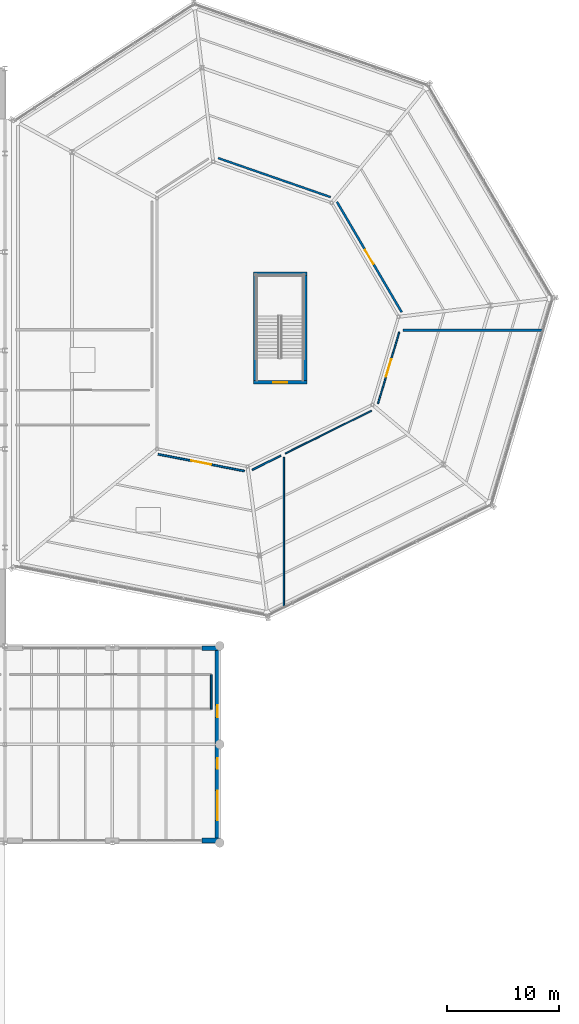
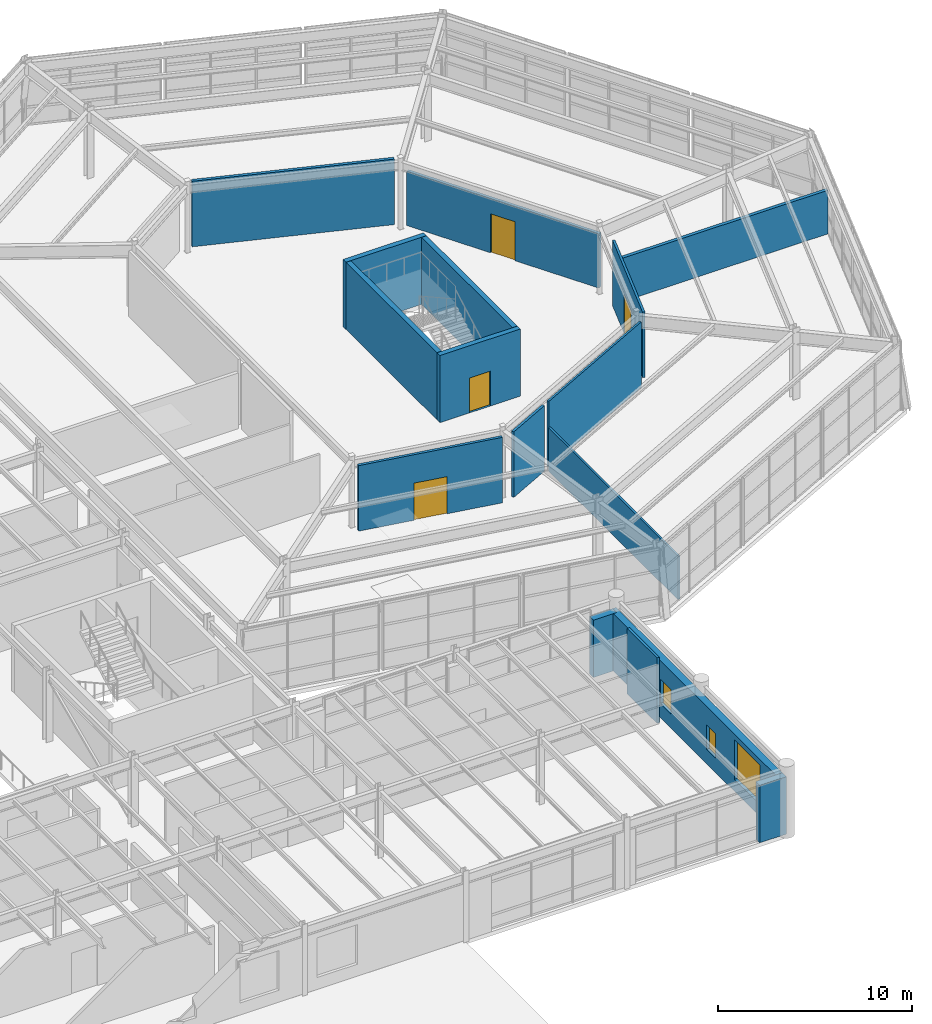
# One storey, part 76 of 88: 16 walls, 4 doors, 3 windows, 7 openings.
"""IFC4 building model written with IfcOpenShell, lengths in metres."""

from ifc_helpers import new_model, si_unit, direction, frame, frame_2d, origin, place, context, subcontext, project, spatial, rectangle, extrude, material, layer, layer_set, type_object, element, fill, save


model = new_model("IFC4")

# Units and contexts
model_context = context("Model", 3, precision=1e-05, world=origin(), true_north=direction((0.0, 1.0)))
body_context = subcontext(model_context, "Body", "Model", "MODEL_VIEW")
ifc_project = project(units=[si_unit("LENGTHUNIT", "METRE"), si_unit("AREAUNIT", "SQUARE_METRE"), si_unit("VOLUMEUNIT", "CUBIC_METRE"), si_unit("PLANEANGLEUNIT", "RADIAN"), si_unit("MASSUNIT", "GRAM", prefix="KILO")], contexts=[model_context])

# Site, building, storey
site_placement = place(None, origin())
site = spatial("IfcSite", under=ifc_project, at=site_placement, CompositionType="ELEMENT")
building_placement = place(site_placement, origin())
building = spatial("IfcBuilding", under=site, at=building_placement, Name="Sarnbrook Museum", CompositionType="ELEMENT")
storey_placement = place(building_placement, frame((0.0, 0.0, 10.10009765625)))
storey = spatial("IfcBuildingStorey", under=building, at=storey_placement, Name="L02", CompositionType="ELEMENT", Elevation=10.10009765625)

# Wall, opening, door
ifc_material_1 = material(Name="Concrete N50 (AS 3600, f'c = 50 MPa)", Category="concrete")
ifc_layer_1 = layer(ifc_material_1, 0.300048828125)
ifc_layer_set_1 = layer_set([ifc_layer_1], Name="Concrete N50 (AS 3600, f'c = 50 MPa)")
wall_type_1 = type_object("IfcWallType", Name="CoreWall_CWRC", PredefinedType="SHEAR", material=ifc_layer_set_1)
wall_1_placement = place(storey_placement, frame((141.39990234375, 80.35009765625, 0.0), z_axis=(0.0, 0.0, 1.0), x_axis=(1.0, 0.0, 0.0)))
wall_1 = element("IfcWall", 1, at=wall_1_placement, inside=storey, type_object=wall_type_1, Name="Core C7 Shear Wall S L02", PredefinedType="SHEAR", context=body_context, shape_type="SweptSolid", body=[
    extrude(rectangle(XDim=4.800048828125, YDim=0.300048828125, at=frame_2d((2.39990234375, 0.0))), origin(), (0.0, 0.0, 1.0), 4.23486328125),
])
opening_1_placement = place(wall_1_placement, frame((1.77490234375, 0.0, 0.0)))
opening_1 = element("IfcOpeningElement", 2, at=opening_1_placement, cuts=wall_1, Name="Opening D-ST-ST7-L02", PredefinedType="OPENING", context=body_context, shape_type="SweptSolid", body=[
    extrude(rectangle(XDim=1.25, YDim=2.199951171875, at=frame_2d((0.625, 1.10009765625))), frame((0.0, 0.16015625, 0.0), z_axis=(0.0, -1.0, 0.0), x_axis=(1.0, 0.0, 0.0)), (0.0, 0.0, 1.0), 0.320068359375),
])
ifc_material_2 = material(Name="Tasmanian Oak Acoustic Timber", Category="wood")
door_type_1 = type_object("IfcDoorType", Name="FireDoor_FD120", OperationType="NOTDEFINED", PredefinedType="DOOR", material=ifc_material_2)
door_1_placement = place(opening_1_placement, origin())
door_1 = element("IfcDoor", 3, at=door_1_placement, inside=storey, type_object=door_type_1, Name="Exit Stair ST7 Fire Door L02", OperationType="SINGLE_SWING_LEFT", OverallHeight=2.199951171875, OverallWidth=1.25, PredefinedType="DOOR", context=body_context, shape_type="SweptSolid", body=[
    extrude(rectangle(XDim=1.25, YDim=2.199951171875, at=frame_2d((0.625, 1.10009765625))), frame((0.0, 0.02490234375, 0.0), z_axis=(0.0, -1.0, 0.0), x_axis=(1.0, 0.0, 0.0)), (0.0, 0.0, 1.0), 0.050048828125),
])
fill(opening_1, door_1)

# Walls
wall_2_placement = place(storey_placement, frame((146.199951171875, 90.050048828125, 0.0), z_axis=(0.0, 0.0, 1.0), x_axis=(-1.0, 0.0, 0.0)))
element("IfcWall", 4, at=wall_2_placement, inside=storey, type_object=wall_type_1, Name="Core C7 Shear Wall N L02", PredefinedType="SHEAR", context=body_context, shape_type="SweptSolid", body=[
    extrude(rectangle(XDim=4.800048828125, YDim=0.300048828125, at=frame_2d((2.39990234375, 0.0))), origin(), (0.0, 0.0, 1.0), 4.23486328125),
])
for number, where, z_axis, x_axis, name in (
    (5, (146.050048828125, 80.510009765625, 0.0), (0.0, 0.0, 1.0), (0.0, 1.0, 0.0), "Core C7 Shear Wall E L02"),
    (6, (141.550048828125, 89.889892578125, 0.0), (0.0, 0.0, 1.0), (0.0, -1.0, 0.0), "Core C7 Shear Wall W L02"),
):
    element("IfcWall", number, at=place(storey_placement, frame(where, z_axis=z_axis, x_axis=x_axis)), inside=storey, type_object=wall_type_1, Name=name, PredefinedType="SHEAR", context=body_context, shape_type="SweptSolid", body=[
        extrude(rectangle(XDim=9.3798828125, YDim=0.300048828125, at=frame_2d((4.68994140625, 0.0))), origin(), (0.0, 0.0, 1.0), 4.23486328125),
    ])
ifc_material_3 = material(Name="Fire-Rated Acoustic Gypsum Plasterboard")
ifc_layer_2 = layer(ifc_material_3, 0.1201171875)
ifc_layer_set_2 = layer_set([ifc_layer_2], Name="Fire-Rated Acoustic Gypsum Plasterboard")
wall_type_2 = type_object("IfcWallType", Name="PartWall_P120", PredefinedType="PARTITIONING", material=ifc_layer_set_2)
wall_3_placement = place(storey_placement, frame((144.264404296875, 73.998779296875, 0.0), z_axis=(0.0, 0.0, 1.0), x_axis=(0.896169857626, 0.443711151857, 0.0)))
element("IfcWall", 7, at=wall_3_placement, inside=storey, type_object=wall_type_2, Name="Interior Partition Wall L02-0475", PredefinedType="PARTITIONING", context=body_context, shape_type="SweptSolid", body=[
    extrude(rectangle(XDim=8.59619140625, YDim=0.1201171875, at=frame_2d((4.298095703125, 0.0))), origin(), (0.0, 0.0, 1.0), 4.1298828125),
])
wall_4_placement = place(storey_placement, frame((144.1357421875, 73.637939453125, 0.0), z_axis=(0.0, 0.0, 1.0), x_axis=(0.0, -1.0, 0.0)))
element("IfcWall", 8, at=wall_4_placement, inside=storey, type_object=wall_type_2, Name="Interior Partition Wall L02-0573", PredefinedType="PARTITIONING", context=body_context, shape_type="SweptSolid", body=[
    extrude(rectangle(XDim=13.382080078125, YDim=0.1201171875, at=frame_2d((6.69091796875, 0.0))), origin(), (0.0, 0.0, 1.0), 2.75),
])

# Wall, opening, door
ifc_layer_3 = layer(ifc_material_3, 0.135009765625)
ifc_layer_set_3 = layer_set([ifc_layer_3], Name="Fire-Rated Acoustic Gypsum Plasterboard")
wall_type_3 = type_object("IfcWallType", Name="PartWall_P135", PredefinedType="PARTITIONING", material=ifc_layer_set_3)
wall_5_placement = place(storey_placement, frame((152.54931640625, 78.45556640625, 0.0), z_axis=(0.0, 0.0, 1.0), x_axis=(0.284570440506, 0.958655133189, 0.0)))
wall_5 = element("IfcWall", 9, at=wall_5_placement, inside=storey, type_object=wall_type_3, Name="Interior Partition Wall L02-0474", PredefinedType="PARTITIONING", context=body_context, shape_type="SweptSolid", body=[
    extrude(rectangle(XDim=6.672119140625, YDim=0.135009765625, at=frame_2d((3.3359375, 0.0))), origin(), (0.0, 0.0, 1.0), 4.1298828125),
])
opening_2_placement = place(wall_5_placement, frame((2.526123046875, 0.0, 0.0)))
opening_2 = element("IfcOpeningElement", 10, at=opening_2_placement, cuts=wall_5, Name="Opening D-L02-144", PredefinedType="OPENING", context=body_context, shape_type="SweptSolid", body=[
    extrude(rectangle(XDim=1.6201171875, YDim=2.4599609375, at=frame_2d((0.81005859375, 1.22998046875))), frame((0.0, 0.07763671875, 0.0), z_axis=(0.0, -1.0, 0.0), x_axis=(1.0, 0.0, 0.0)), (0.0, 0.0, 1.0), 0.155029296875),
])
door_type_2 = type_object("IfcDoorType", Name="IntDoor_DT30", OperationType="NOTDEFINED", PredefinedType="DOOR", material=ifc_material_2)
door_2_placement = place(opening_2_placement, origin())
door_2 = element("IfcDoor", 11, at=door_2_placement, inside=storey, type_object=door_type_2, Name="Microscopy & Imaging Laboratory L02-4 Door D-L02-144", OperationType="DOUBLE_DOOR_SINGLE_SWING", OverallHeight=2.4599609375, OverallWidth=1.6201171875, PredefinedType="DOOR", context=body_context, shape_type="SweptSolid", body=[
    extrude(rectangle(XDim=1.6201171875, YDim=2.4599609375, at=frame_2d((0.81005859375, 1.22998046875))), frame((0.0, 0.02490234375, 0.0), z_axis=(0.0, -1.0, 0.0), x_axis=(1.0, 0.0, 0.0)), (0.0, 0.0, 1.0), 0.050048828125),
])
fill(opening_2, door_2)

# Walls
ifc_layer_4 = layer(ifc_material_3, 0.14990234375)
ifc_layer_set_4 = layer_set([ifc_layer_4], Name="Fire-Rated Acoustic Gypsum Plasterboard")
wall_type_4 = type_object("IfcWallType", Name="PartWall_P150", PredefinedType="PARTITIONING", material=ifc_layer_set_4)
wall_6_placement = place(storey_placement, frame((141.314697265625, 72.538330078125, 0.0), z_axis=(0.0, 0.0, 1.0), x_axis=(0.896167481074, 0.443715951782, 0.0)))
element("IfcWall", 12, at=wall_6_placement, inside=storey, type_object=wall_type_4, Name="Interior Partition Wall L02-0466", PredefinedType="PARTITIONING", context=body_context, shape_type="SweptSolid", body=[
    extrude(rectangle(XDim=2.8505859375, YDim=0.14990234375, at=frame_2d((1.42529296875, 0.0))), origin(), (0.0, 0.0, 1.0), 4.1298828125),
])
wall_7_placement = place(storey_placement, frame((137.64990234375, 51.159912109375, 0.0), z_axis=(0.0, 0.0, 1.0), x_axis=(0.0, 1.0, 0.0)))
element("IfcWall", 13, at=wall_7_placement, inside=storey, type_object=wall_type_4, Name="Interior Partition Wall L02-0529", PredefinedType="PARTITIONING", context=body_context, shape_type="SweptSolid", body=[
    extrude(rectangle(XDim=3.080078125, YDim=0.14990234375, at=frame_2d((1.5400390625, 0.0))), origin(), (0.0, 0.0, 1.0), 4.1298828125),
])

# Wall, opening, door
ifc_layer_5 = layer(ifc_material_3, 0.1650390625)
ifc_layer_set_5 = layer_set([ifc_layer_5], Name="Fire-Rated Acoustic Gypsum Plasterboard")
wall_type_5 = type_object("IfcWallType", Name="PartWall_P165", PredefinedType="PARTITIONING", material=ifc_layer_set_5)
wall_8_placement = place(storey_placement, frame((132.902099609375, 73.9267578125, 0.0), z_axis=(0.0, 0.0, 1.0), x_axis=(0.98152920164, -0.191312378918, 0.0)))
wall_8 = element("IfcWall", 14, at=wall_8_placement, inside=storey, type_object=wall_type_5, Name="Interior Partition Wall L02-0465", PredefinedType="PARTITIONING", context=body_context, shape_type="SweptSolid", body=[
    extrude(rectangle(XDim=7.85205078125, YDim=0.1650390625, at=frame_2d((3.926025390625, 0.0))), origin(), (0.0, 0.0, 1.0), 4.1298828125),
])
opening_3_placement = place(wall_8_placement, frame((3.01611328125, 0.0, 0.0)))
opening_3 = element("IfcOpeningElement", 15, at=opening_3_placement, cuts=wall_8, Name="Opening D-L02-141", PredefinedType="OPENING", context=body_context, shape_type="SweptSolid", body=[
    extrude(rectangle(XDim=1.820068359375, YDim=2.340087890625, at=frame_2d((0.91015625, 1.169921875))), frame((0.0, 0.092529296875, 0.0), z_axis=(0.0, -1.0, 0.0), x_axis=(1.0, 0.0, 0.0)), (0.0, 0.0, 1.0), 0.18505859375),
])
door_type_3 = type_object("IfcDoorType", Name="IntDoor_DT27", OperationType="NOTDEFINED", PredefinedType="DOOR", material=ifc_material_2)
door_3_placement = place(opening_3_placement, frame((1.820068359375, 0.0, 0.0), z_axis=(0.0, 0.0, 1.0), x_axis=(-1.0, 0.0, 0.0)))
door_3 = element("IfcDoor", 16, at=door_3_placement, inside=storey, type_object=door_type_3, Name="Cantilevered Stone Sculpture Gallery L02-1 Door D-L02-141", OperationType="DOUBLE_DOOR_SINGLE_SWING", OverallHeight=2.340087890625, OverallWidth=1.820068359375, PredefinedType="DOOR", context=body_context, shape_type="SweptSolid", body=[
    extrude(rectangle(XDim=1.820068359375, YDim=2.340087890625, at=frame_2d((0.91015625, 1.169921875))), frame((0.0, 0.02490234375, 0.0), z_axis=(0.0, -1.0, 0.0), x_axis=(1.0, 0.0, 0.0)), (0.0, 0.0, 1.0), 0.050048828125),
])
fill(opening_3, door_3)

# Wall
ifc_layer_6 = layer(ifc_material_3, 0.179931640625)
ifc_layer_set_6 = layer_set([ifc_layer_6], Name="Fire-Rated Acoustic Gypsum Plasterboard")
wall_type_6 = type_object("IfcWallType", Name="PartWall_P180", PredefinedType="PARTITIONING", material=ifc_layer_set_6)
wall_9_placement = place(storey_placement, frame((148.309326171875, 96.90576171875, 0.0), z_axis=(0.0, 0.0, 1.0), x_axis=(-0.944672280914, 0.328015672907, 0.0)))
element("IfcWall", 17, at=wall_9_placement, inside=storey, type_object=wall_type_6, Name="Interior Partition Wall L02-0471", PredefinedType="PARTITIONING", context=body_context, shape_type="SweptSolid", body=[
    extrude(rectangle(XDim=10.6337890625, YDim=0.179931640625, at=frame_2d((5.31689453125, 0.0))), origin(), (0.0, 0.0, 1.0), 4.1298828125),
])

# Wall, opening, door
ifc_layer_7 = layer(ifc_material_3, 0.195068359375)
ifc_layer_set_7 = layer_set([ifc_layer_7], Name="Fire-Rated Acoustic Gypsum Plasterboard")
wall_type_7 = type_object("IfcWallType", Name="PartWall_P195", PredefinedType="PARTITIONING", material=ifc_layer_set_7)
wall_10_placement = place(storey_placement, frame((154.657958984375, 86.62890625, 0.0), z_axis=(0.0, 0.0, 1.0), x_axis=(-0.506044714384, 0.862507244633, 0.0)))
wall_10 = element("IfcWall", 18, at=wall_10_placement, inside=storey, type_object=wall_type_7, Name="Interior Partition Wall L02-0470", PredefinedType="PARTITIONING", context=body_context, shape_type="SweptSolid", body=[
    extrude(rectangle(XDim=11.42333984375, YDim=0.195068359375, at=frame_2d((5.711669921875, 0.0))), origin(), (0.0, 0.0, 1.0), 3.409912109375),
])
opening_4_placement = place(wall_10_placement, frame((4.981689453125, 0.0, 0.0)))
opening_4 = element("IfcOpeningElement", 19, at=opening_4_placement, cuts=wall_10, Name="Opening D-L02-143", PredefinedType="OPENING", context=body_context, shape_type="SweptSolid", body=[
    extrude(rectangle(XDim=1.4599609375, YDim=2.4599609375, at=frame_2d((0.72998046875, 1.22998046875))), frame((0.0, 0.107421875, 0.0), z_axis=(0.0, -1.0, 0.0), x_axis=(1.0, 0.0, 0.0)), (0.0, 0.0, 1.0), 0.215087890625),
])
door_type_4 = type_object("IfcDoorType", Name="IntDoor_DT29", OperationType="NOTDEFINED", PredefinedType="DOOR", material=ifc_material_2)
door_4_placement = place(opening_4_placement, origin())
door_4 = element("IfcDoor", 20, at=door_4_placement, inside=storey, type_object=door_type_4, Name="Entomology & Arachnid Pavilion L02-3 Door D-L02-143", OperationType="SINGLE_SWING_LEFT", OverallHeight=2.4599609375, OverallWidth=1.4599609375, PredefinedType="DOOR", context=body_context, shape_type="SweptSolid", body=[
    extrude(rectangle(XDim=1.4599609375, YDim=2.4599609375, at=frame_2d((0.72998046875, 1.22998046875))), frame((0.0, 0.02490234375, 0.0), z_axis=(0.0, -1.0, 0.0), x_axis=(1.0, 0.0, 0.0)), (0.0, 0.0, 1.0), 0.050048828125),
])
fill(opening_4, door_4)

# Walls
wall_11_placement = place(storey_placement, frame((167.25537109375, 85.005615234375, 0.0), z_axis=(0.0, 0.0, 1.0), x_axis=(-1.0, 0.0, 0.0)))
element("IfcWall", 21, at=wall_11_placement, inside=storey, type_object=wall_type_7, Name="Interior Partition Wall L02-0575", PredefinedType="PARTITIONING", context=body_context, shape_type="SweptSolid", body=[
    extrude(rectangle(XDim=12.494140625, YDim=0.195068359375, at=frame_2d((6.2470703125, 0.0))), origin(), (0.0, 0.0, 1.0), 2.75),
])
ifc_material_4 = material(Name="Barrabool Sandstone Ashlar Cladding", Category="masonry")
ifc_layer_8 = layer(ifc_material_4, 0.419921875)
ifc_layer_set_8 = layer_set([ifc_layer_8], Name="Barrabool Sandstone Ashlar Cladding")
wall_type_8 = type_object("IfcWallType", Name="Wall_SandstoneExt420", PredefinedType="SOLIDWALL", material=ifc_layer_set_8)
wall_12_placement = place(storey_placement, frame((136.800048828125, 39.409912109375, 0.0), z_axis=(0.0, 0.0, 1.0), x_axis=(1.0, 0.0, 0.0)))
element("IfcWall", 22, at=wall_12_placement, inside=storey, type_object=wall_type_8, Name="Classical Sandstone Facade Pier L02-16.3", PredefinedType="SOLIDWALL", context=body_context, shape_type="SweptSolid", body=[
    extrude(rectangle(XDim=1.599853515625, YDim=0.419921875, at=frame_2d((0.7998046875, 0.0))), origin(), (0.0, 0.0, 1.0), 3.60791015625),
])

# Wall, openings, windows
wall_13_placement = place(storey_placement, frame((138.18994140625, 39.416015625, 0.0), z_axis=(0.0, 0.0, 1.0), x_axis=(0.0, 1.0, 0.0)))
wall_13 = element("IfcWall", 23, at=wall_13_placement, inside=storey, type_object=wall_type_8, Name="Classical Sandstone Facade Wall L02-17", PredefinedType="SOLIDWALL", context=body_context, shape_type="SweptSolid", body=[
    extrude(rectangle(XDim=17.384033203125, YDim=0.419921875, at=frame_2d((8.69189453125, 0.0))), origin(), (0.0, 0.0, 1.0), 3.60791015625),
])
opening_5_placement = place(wall_13_placement, frame((1.800048828125, 0.0, 0.75)))
opening_5 = element("IfcOpeningElement", 24, at=opening_5_placement, cuts=wall_13, Name="Opening WT-44", PredefinedType="OPENING", context=body_context, shape_type="SweptSolid", body=[
    extrude(rectangle(XDim=2.64990234375, YDim=2.5, at=frame_2d((1.324951171875, 1.25))), frame((0.0, 0.219970703125, 0.0), z_axis=(0.0, -1.0, 0.0), x_axis=(1.0, 0.0, 0.0)), (0.0, 0.0, 1.0), 0.43994140625),
])
opening_6_placement = place(wall_13_placement, frame((6.39990234375, 0.0, 0.89990234375)))
opening_6 = element("IfcOpeningElement", 25, at=opening_6_placement, cuts=wall_13, Name="Opening WT-01", PredefinedType="OPENING", context=body_context, shape_type="SweptSolid", body=[
    extrude(rectangle(XDim=0.949951171875, YDim=1.550048828125, at=frame_2d((0.47509765625, 0.77490234375))), frame((0.0, 0.219970703125, 0.0), z_axis=(0.0, -1.0, 0.0), x_axis=(1.0, 0.0, 0.0)), (0.0, 0.0, 1.0), 0.43994140625),
])
opening_7_placement = place(wall_13_placement, frame((11.0, 0.0, 0.89990234375)))
opening_7 = element("IfcOpeningElement", 26, at=opening_7_placement, cuts=wall_13, Name="Opening WT-02", PredefinedType="OPENING", context=body_context, shape_type="SweptSolid", body=[
    extrude(rectangle(XDim=1.10009765625, YDim=1.550048828125, at=frame_2d((0.550048828125, 0.77490234375))), frame((0.0, 0.219970703125, 0.0), z_axis=(0.0, -1.0, 0.0), x_axis=(1.0, 0.0, 0.0)), (0.0, 0.0, 1.0), 0.43994140625),
])
ifc_material_5 = material(Name="Double-Glazed Low-Iron Laminated Safety Glass", Category="glass")
window_type_1 = type_object("IfcWindowType", Name="Window_Classical_WT01", PartitioningType="SINGLE_PANEL", PredefinedType="WINDOW", material=ifc_material_5)
window_1_placement = place(opening_6_placement, origin())
window_1 = element("IfcWindow", 27, at=window_1_placement, inside=storey, type_object=window_type_1, Name="Classical Bronze Casement Window WIN:L02:0089", OverallHeight=1.550048828125, OverallWidth=0.949951171875, PartitioningType="SINGLE_PANEL", PredefinedType="WINDOW", context=body_context, shape_type="SweptSolid", body=[
    extrude(rectangle(XDim=0.949951171875, YDim=1.550048828125, at=frame_2d((0.47509765625, 0.77490234375))), frame((0.0, 0.030029296875, 0.0), z_axis=(0.0, -1.0, 0.0), x_axis=(1.0, 0.0, 0.0)), (0.0, 0.0, 1.0), 0.06005859375),
])
fill(opening_6, window_1)
window_type_2 = type_object("IfcWindowType", Name="Window_Classical_WT02", PartitioningType="SINGLE_PANEL", PredefinedType="WINDOW", material=ifc_material_5)
window_2_placement = place(opening_7_placement, origin())
window_2 = element("IfcWindow", 28, at=window_2_placement, inside=storey, type_object=window_type_2, Name="Classical Bronze Casement Window WIN:L02:0090", OverallHeight=1.550048828125, OverallWidth=1.10009765625, PartitioningType="SINGLE_PANEL", PredefinedType="WINDOW", context=body_context, shape_type="SweptSolid", body=[
    extrude(rectangle(XDim=1.10009765625, YDim=1.550048828125, at=frame_2d((0.550048828125, 0.77490234375))), frame((0.0, 0.030029296875, 0.0), z_axis=(0.0, -1.0, 0.0), x_axis=(1.0, 0.0, 0.0)), (0.0, 0.0, 1.0), 0.06005859375),
])
fill(opening_7, window_2)
window_type_3 = type_object("IfcWindowType", Name="Window_Classical_WT44", PartitioningType="SINGLE_PANEL", PredefinedType="WINDOW", material=ifc_material_5)
window_3_placement = place(opening_5_placement, origin())
window_3 = element("IfcWindow", 29, at=window_3_placement, inside=storey, type_object=window_type_3, Name="Classical Bronze Casement Window WIN:L02:0088", OverallHeight=2.5, OverallWidth=2.64990234375, PartitioningType="SINGLE_PANEL", PredefinedType="WINDOW", context=body_context, shape_type="SweptSolid", body=[
    extrude(rectangle(XDim=2.64990234375, YDim=2.5, at=frame_2d((1.324951171875, 1.25))), frame((0.0, 0.030029296875, 0.0), z_axis=(0.0, -1.0, 0.0), x_axis=(1.0, 0.0, 0.0)), (0.0, 0.0, 1.0), 0.06005859375),
])
fill(opening_5, window_3)

# Wall
wall_14_placement = place(storey_placement, frame((138.18408203125, 56.590087890625, 0.0), z_axis=(0.0, 0.0, 1.0), x_axis=(-1.0, 0.0, 0.0)))
element("IfcWall", 30, at=wall_14_placement, inside=storey, type_object=wall_type_8, Name="Classical Sandstone Facade Pier L02-18.1", PredefinedType="SOLIDWALL", context=body_context, shape_type="SweptSolid", body=[
    extrude(rectangle(XDim=1.384033203125, YDim=0.419921875, at=frame_2d((0.69189453125, 0.0))), origin(), (0.0, 0.0, 1.0), 3.60791015625),
])

save(model, "model.ifc")
